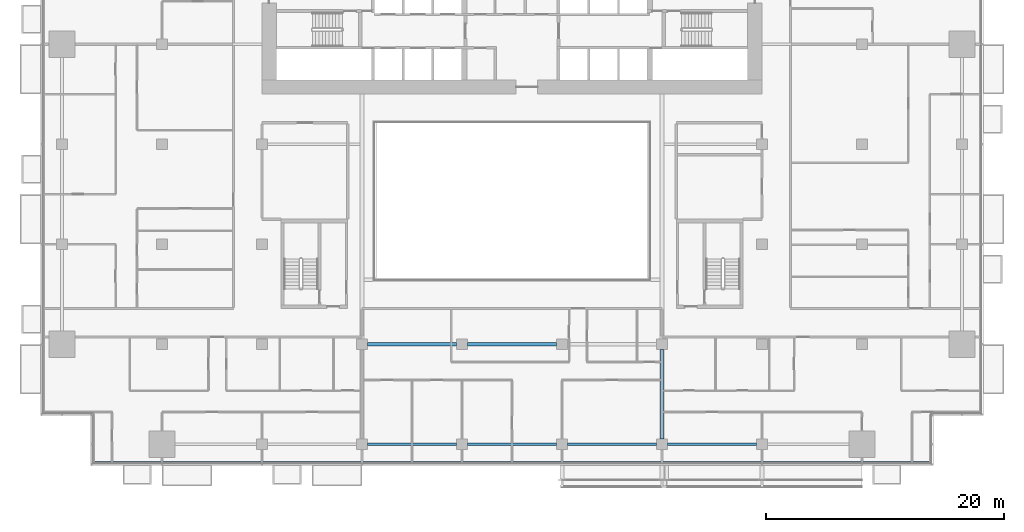
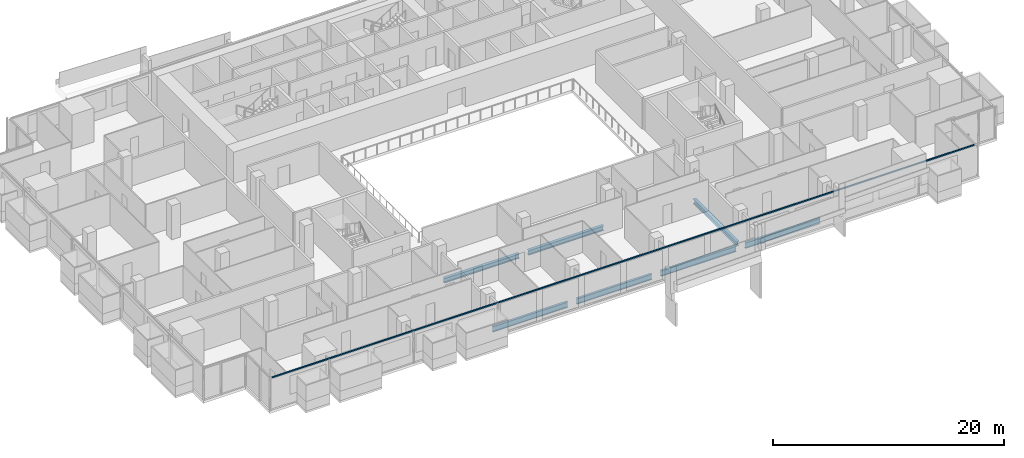
# One storey, part 5 of 27: 7 beams, 1 member, 1 element without a shape of its own.
"""IFC4 building model written with IfcOpenShell, lengths in metres."""

import ifcopenshell
import ifcopenshell.guid

model = None  # the IFC model being written
_history = None  # IfcOwnerHistory: only IFC2X3 demands one
_inside = {}  # id of a spatial element -> (the spatial element, [elements in it])
_under = {}  # id of a project, library or spatial element -> (it, [spatial elements below it])
_declared = {}  # id of a project -> (the project, [libraries it declares])
_typed = {}  # id of a type object -> (the type object, [elements of that type])
_made_of = {}  # id of a material, layer set ... -> (it, [elements and type objects made of it])


def new_model(schema):
    """Start an empty IFC model of exactly this schema.

    Asked for "IFC4X3", IfcOpenShell would pick the latest addendum, in which some entities
    have other attributes; the version numbers below select the first issue.
    IFC2X3 requires an IfcOwnerHistory on every rooted entity: one is made here for all.
    """
    global model, _history
    if schema == "IFC4X3":
        model = ifcopenshell.file(schema_version=(4, 3, 0, 0))
    else:
        model = ifcopenshell.file(schema=schema)
    _inside.clear()
    _under.clear()
    _declared.clear()
    _typed.clear()
    _made_of.clear()
    _history = None
    if model.schema == "IFC2X3":
        org = make("IfcOrganization", Name="unknown")
        user = make(
            "IfcPersonAndOrganization",
            ThePerson=make("IfcPerson", FamilyName="unknown"),
            TheOrganization=org,
        )
        app = make(
            "IfcApplication",
            ApplicationDeveloper=org,
            Version="unknown",
            ApplicationFullName="unknown",
            ApplicationIdentifier="unknown",
        )
        _history = make(
            "IfcOwnerHistory",
            OwningUser=user,
            OwningApplication=app,
            ChangeAction="ADDED",
            CreationDate=0,
        )
    return model


def make(cls, **values):
    """One entity of the class cls with the attributes given. An attribute that is None is left unset."""
    return model.create_entity(
        cls, **{name: value for name, value in values.items() if value is not None}
    )


def rooted(cls, **values):
    """An entity with a GlobalId (a new one), such as an element, a storey or a relation."""
    return make(cls, GlobalId=ifcopenshell.guid.new(), OwnerHistory=_history, **values)


def si_unit(unit_type, name, prefix=None):
    """IfcSIUnit, for example si_unit("LENGTHUNIT", "METRE", prefix="MILLI")."""
    return make("IfcSIUnit", UnitType=unit_type, Prefix=prefix, Name=name)


def assignment(units):
    """IfcUnitAssignment: the units of a project."""
    return None if units is None else make("IfcUnitAssignment", Units=units)


def point(xyz):
    """IfcCartesianPoint."""
    return None if xyz is None else make("IfcCartesianPoint", Coordinates=xyz)


def direction(xyz):
    """IfcDirection."""
    return None if xyz is None else make("IfcDirection", DirectionRatios=xyz)


def frame(location, z_axis=None, x_axis=None):
    """IfcAxis2Placement3D, a coordinate frame: its origin and axes. An axis left out is left unset."""
    return make(
        "IfcAxis2Placement3D",
        Location=point(location),
        Axis=direction(z_axis),
        RefDirection=direction(x_axis),
    )


def frame_2d(location, x_axis=None):
    """IfcAxis2Placement2D, a coordinate frame in the plane: its origin and x axis."""
    return make(
        "IfcAxis2Placement2D", Location=point(location), RefDirection=direction(x_axis)
    )


def origin():
    """The frame at (0, 0, 0) with its axes left unset."""
    return frame((0.0, 0.0, 0.0))


def origin_2d():
    """The frame at (0, 0) in the plane with its x axis left unset."""
    return frame_2d((0.0, 0.0))


def place(relative_to, where):
    """IfcLocalPlacement: puts the frame where relative to a parent placement (None: the world)."""
    return make(
        "IfcLocalPlacement", PlacementRelTo=relative_to, RelativePlacement=where
    )


def context(
    kind, dimensions, precision=None, world=None, true_north=None, identifier=None
):
    """IfcGeometricRepresentationContext, for example the 3D "Model" context."""
    return make(
        "IfcGeometricRepresentationContext",
        ContextIdentifier=identifier,
        ContextType=kind,
        CoordinateSpaceDimension=dimensions,
        Precision=precision,
        WorldCoordinateSystem=world,
        TrueNorth=true_north,
    )


def subcontext(parent, identifier, kind, view, scale=None):
    """IfcGeometricRepresentationSubContext, for example "Body" below "Model"."""
    return make(
        "IfcGeometricRepresentationSubContext",
        ContextIdentifier=identifier,
        ContextType=kind,
        ParentContext=parent,
        TargetScale=scale,
        TargetView=view,
    )


def project(units=None, contexts=None):
    """IfcProject with its units and contexts."""
    return rooted(
        "IfcProject",
        Name="project",
        RepresentationContexts=contexts,
        UnitsInContext=assignment(units),
    )


def spatial(cls, under=None, at=None, **own):
    """A site, building, storey or space (cls), placed at a placement, below another one or the project."""
    s = rooted(cls, ObjectPlacement=at, **own)
    if under is not None:
        _under.setdefault(under.id(), (under, []))[1].append(s)
    return s


def profile(cls, at=None, kind="AREA", **sizes):
    """A parametric profile (cls). Its sizes go by their IFC names, for example OverallWidth=200.0."""
    return make(cls, ProfileType=kind, Position=at, **sizes)


def rectangle(**sizes):
    """IfcRectangleProfileDef."""
    return profile("IfcRectangleProfileDef", **sizes)


def i_section(**sizes):
    """IfcIShapeProfileDef."""
    return profile("IfcIShapeProfileDef", **sizes)


def extrude(swept, where, along, depth):
    """IfcExtrudedAreaSolid: the profile swept, set in the frame where, extruded along a direction by depth."""
    return make(
        "IfcExtrudedAreaSolid",
        SweptArea=swept,
        Position=where,
        ExtrudedDirection=direction(along),
        Depth=depth,
    )


def shape(context_of_items, identifier, shape_type, items):
    """IfcShapeRepresentation: the items that make up one representation, for example the "Body"."""
    return make(
        "IfcShapeRepresentation",
        ContextOfItems=context_of_items,
        RepresentationIdentifier=identifier,
        RepresentationType=shape_type,
        Items=items,
    )


def material(Name=None, Category=None):
    """IfcMaterial."""
    return make("IfcMaterial", Name=Name, Category=Category)


def material_profile(
    of_material, cross_section, Name=None, Category=None, Priority=None
):
    """IfcMaterialProfile: a cross section and its material."""
    return make(
        "IfcMaterialProfile",
        Name=Name,
        Material=of_material,
        Profile=cross_section,
        Priority=Priority,
        Category=Category,
    )


def profile_set(profiles, Name=None, composite=None):
    """IfcMaterialProfileSet."""
    return make(
        "IfcMaterialProfileSet",
        Name=Name,
        MaterialProfiles=profiles,
        CompositeProfile=composite,
    )


def made_of(thing, what):
    """Note that an element or type object is made of a material, layer set ...; save() writes the relation."""
    if what is not None:
        _made_of.setdefault(what.id(), (what, []))[1].append(thing)
    return thing


def type_object(cls, material=None, **own):
    """A type object (cls), such as IfcWallType, which elements share."""
    return made_of(rooted(cls, **own), material)


def element(
    cls,
    number,
    at=None,
    inside=None,
    cuts=None,
    type_object=None,
    material=None,
    context=None,
    identifier="Body",
    shape_type=None,
    held_by="IfcProductDefinitionShape",
    body=None,
    shapes=None,
    **own,
):
    """One element of the class cls, such as IfcWall. Its Tag is "e" and its number.

    at: its placement. inside: the storey or other place that contains it. cuts: it is an
    opening in that element (IfcRelVoidsElement). A single representation is given by context,
    identifier, shape_type and body (its items); several are given by shapes. held_by: the class
    of the entity that holds the representations. save() writes the other relations.
    """
    e = rooted(cls, Tag="e%d" % number, ObjectPlacement=at, **own)
    if body is not None:
        shapes = [shape(context, identifier, shape_type, body)]
    if shapes is not None:
        e.Representation = make(held_by, Representations=shapes)
    if inside is not None:
        _inside.setdefault(inside.id(), (inside, []))[1].append(e)
    if cuts is not None:
        rooted(
            "IfcRelVoidsElement", RelatingBuildingElement=cuts, RelatedOpeningElement=e
        )
    if type_object is not None:
        _typed.setdefault(type_object.id(), (type_object, []))[1].append(e)
    return made_of(e, material)


def aggregate(whole, parts):
    """IfcRelAggregates: a whole, such as a stair, and the parts it consists of."""
    return rooted("IfcRelAggregates", RelatingObject=whole, RelatedObjects=parts)


def save(model, path):
    """Write the relations noted so far, then the file.

    IfcRelAggregates (storeys below a building ...), IfcRelContainedInSpatialStructure (elements
    in a storey), IfcRelDefinesByType, IfcRelAssociatesMaterial and IfcRelDeclares: one each for
    every whole, place, type object, material and project.
    """
    for whole, parts in _under.values():
        aggregate(whole, parts)
    for where, things in _inside.values():
        rooted(
            "IfcRelContainedInSpatialStructure",
            RelatedElements=things,
            RelatingStructure=where,
        )
    for kind, things in _typed.values():
        rooted("IfcRelDefinesByType", RelatedObjects=things, RelatingType=kind)
    for what, things in _made_of.values():
        rooted("IfcRelAssociatesMaterial", RelatedObjects=things, RelatingMaterial=what)
    for by, libraries in _declared.values():
        rooted("IfcRelDeclares", RelatingContext=by, RelatedDefinitions=libraries)
    model.write(path)


model = new_model("IFC4")

# Units and contexts
model_context = context("Model", 3, precision=1e-05, world=origin(), true_north=direction((0.0, 1.0)))
body_context = subcontext(model_context, "Body", "Model", "MODEL_VIEW")
ifc_project = project(units=[si_unit("LENGTHUNIT", "METRE"), si_unit("AREAUNIT", "SQUARE_METRE"), si_unit("VOLUMEUNIT", "CUBIC_METRE"), si_unit("PLANEANGLEUNIT", "RADIAN"), si_unit("MASSUNIT", "GRAM", prefix="KILO")], contexts=[model_context])

# Site, building, storey
site_placement = place(None, origin())
site = spatial("IfcSite", under=ifc_project, at=site_placement, CompositionType="ELEMENT")
building_placement = place(site_placement, origin())
building = spatial("IfcBuilding", under=site, at=building_placement, Name="Saffron Gate Tower", CompositionType="ELEMENT")
storey_placement = place(building_placement, frame((0.0, 0.0, 44.39990234375)))
storey = spatial("IfcBuildingStorey", under=building, at=storey_placement, Name="L09", CompositionType="ELEMENT", Elevation=44.39990234375)

# Beams
ifc_material_1 = material(Name="Structural steel S355", Category="steel")
ifc_material_profile_1 = material_profile(ifc_material_1, i_section(OverallWidth=0.219970703125, OverallDepth=0.60009765625, WebThickness=0.011962890625, FlangeThickness=0.01904296875, FilletRadius=0.02392578125, at=origin_2d()))
ifc_profile_set_1 = profile_set([ifc_material_profile_1], Name="Structural steel S355")
beam_type_1 = type_object("IfcBeamType", Name="B16 IPE 600", PredefinedType="SPANDREL", material=ifc_profile_set_1)
for number, where, z_axis, x_axis, name in (
    (1, (75.449951171875, 31.800048828125, -0.579833984375), (1.0, 0.0, 0.0), (0.0, 1.0, 0.0), "B16 SPANDREL BEAM"),
    (2, (83.85009765625, 31.800048828125, -0.579833984375), (1.0, 0.0, 0.0), (0.0, 1.0, 0.0), "B16 SPANDREL BEAM"),
    (3, (92.25, 31.800048828125, -0.579833984375), (1.0, 0.0, 0.0), (0.0, 1.0, 0.0), "B16 SPANDREL BEAM"),
    (4, (100.64990234375, 31.800048828125, -0.579833984375), (1.0, 0.0, 0.0), (0.0, 1.0, 0.0), "B16 SPANDREL BEAM"),
):
    element("IfcBeam", number, at=place(storey_placement, frame(where, z_axis=z_axis, x_axis=x_axis)), inside=storey, type_object=beam_type_1, Name=name, PredefinedType="SPANDREL", context=body_context, shape_type="SweptSolid", body=[
        extrude(i_section(OverallWidth=0.219970703125, OverallDepth=0.60009765625, WebThickness=0.011962890625, FlangeThickness=0.01904296875, FilletRadius=0.02392578125, at=origin_2d()), origin(), (0.0, 0.0, 1.0), 7.5),
    ])
ifc_material_profile_2 = material_profile(ifc_material_1, i_section(OverallWidth=0.300048828125, OverallDepth=0.489990234375, WebThickness=0.011962890625, FlangeThickness=0.02294921875, FilletRadius=0.027099609375, at=origin_2d()))
ifc_profile_set_2 = profile_set([ifc_material_profile_2], Name="Structural steel S355")
beam_type_2 = type_object("IfcBeamType", Name="B8 HEA 500", PredefinedType="BEAM", material=ifc_profile_set_2)
for number, where, z_axis, x_axis, name in (
    (5, (100.199951171875, 32.25, -0.52490234375), (0.0, 1.0, 0.0), (-1.0, 0.0, 0.0), "B8 FLOOR GIRDER"),
    (6, (75.449951171875, 40.199951171875, -0.52490234375), (1.0, 0.0, 0.0), (0.0, 1.0, 0.0), "B8 FLOOR GIRDER"),
    (7, (83.85009765625, 40.199951171875, -0.52490234375), (1.0, 0.0, 0.0), (0.0, 1.0, 0.0), "B8 FLOOR GIRDER"),
):
    element("IfcBeam", number, at=place(storey_placement, frame(where, z_axis=z_axis, x_axis=x_axis)), inside=storey, type_object=beam_type_2, Name=name, PredefinedType="BEAM", context=body_context, shape_type="SweptSolid", body=[
        extrude(i_section(OverallWidth=0.300048828125, OverallDepth=0.489990234375, WebThickness=0.011962890625, FlangeThickness=0.02294921875, FilletRadius=0.027099609375, at=origin_2d()), origin(), (0.0, 0.0, 1.0), 7.5),
    ])

# Curtain wall, member
ifc_material_2 = material(Name="Aluminium, bronze anodised", Category="aluminium")
curtain_wall_type = type_object("IfcCurtainWallType", Name="CWS1 curtain wall front facade", PredefinedType="NOTDEFINED", material=ifc_material_2)
curtain_wall_placement = place(storey_placement, origin())
curtain_wall = element("IfcCurtainWall", 8, at=curtain_wall_placement, inside=storey, type_object=curtain_wall_type, Name="CWS1 run 1", PredefinedType="NOTDEFINED")
ifc_material_profile_3 = material_profile(ifc_material_2, rectangle(XDim=0.1201171875, YDim=0.1201171875, at=origin_2d()))
ifc_profile_set_3 = profile_set([ifc_material_profile_3], Name="Aluminium, bronze anodised")
member_type = type_object("IfcMemberType", Name="CWS1 head transom", PredefinedType="USERDEFINED", material=ifc_profile_set_3)
member_placement = place(storey_placement, frame((52.568115234375, 30.248046875, 3.260009765625), z_axis=(1.0, 0.0, 0.0), x_axis=(0.0, 1.0, 0.0)))
member = element("IfcMember", 9, at=member_placement, type_object=member_type, Name="CWS1 head transom", ObjectType="TRANSOM", PredefinedType="USERDEFINED", context=body_context, shape_type="SweptSolid", body=[
    extrude(rectangle(XDim=0.1201171875, YDim=0.1201171875, at=origin_2d()), origin(), (0.0, 0.0, 1.0), 70.06396484375),
])
aggregate(curtain_wall, [member])

save(model, "model.ifc")
